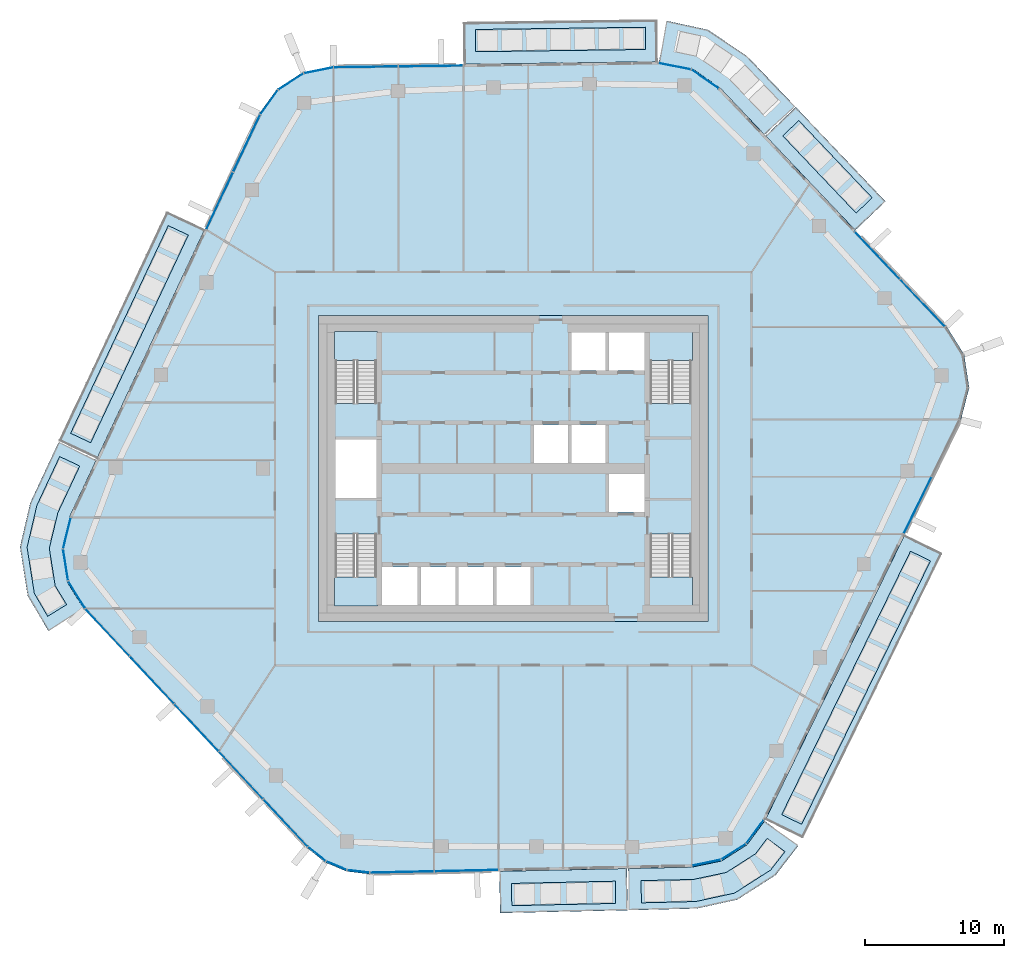
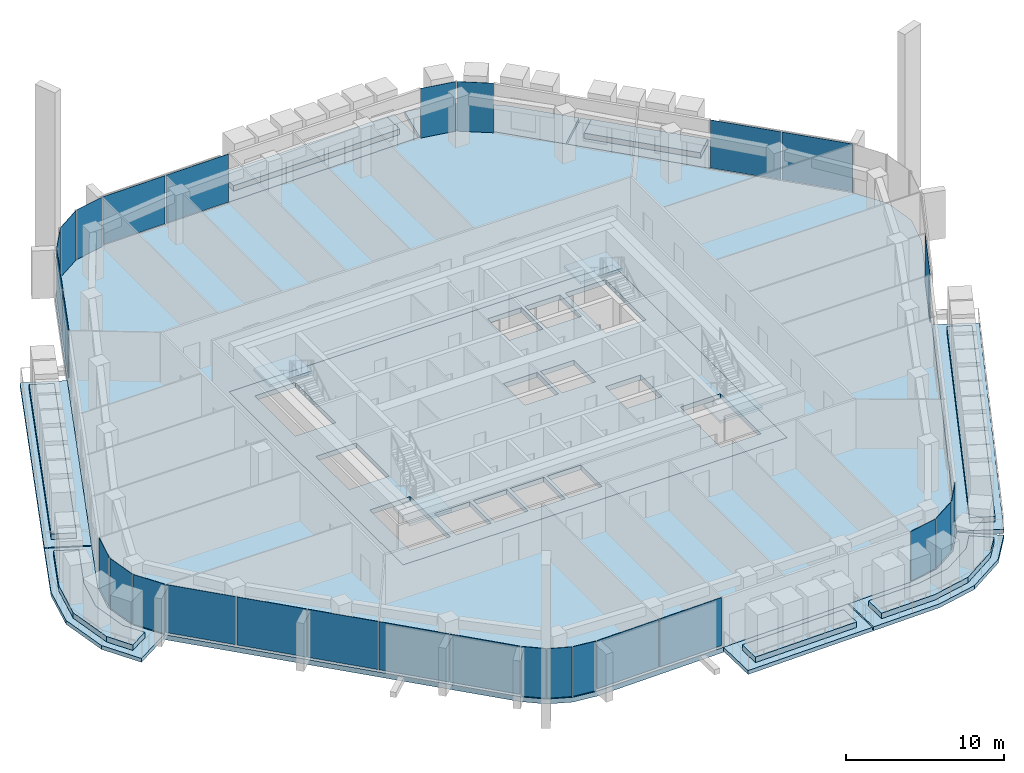
# One storey, part 11 of 24: 28 plates, 21 slabs, 15 elements without a shape of their own.
"""IFC4 building model written with IfcOpenShell, lengths in metres."""

from ifc_helpers import new_model, si_unit, direction, frame, origin, origin_2d, place, context, subcontext, project, spatial, polyline, rectangle, outline, extrude, material, layer, layer_set, type_object, element, aggregate, save


model = new_model("IFC4")

# Units and contexts
model_context = context("Model", 3, precision=1e-05, world=origin(), true_north=direction((0.0, 1.0)))
body_context = subcontext(model_context, "Body", "Model", "MODEL_VIEW")
ifc_project = project(units=[si_unit("LENGTHUNIT", "METRE"), si_unit("AREAUNIT", "SQUARE_METRE"), si_unit("VOLUMEUNIT", "CUBIC_METRE"), si_unit("PLANEANGLEUNIT", "RADIAN"), si_unit("MASSUNIT", "GRAM", prefix="KILO")], contexts=[model_context])

# Site, building, storey
site_placement = place(None, origin())
site = spatial("IfcSite", under=ifc_project, at=site_placement, CompositionType="ELEMENT")
building_placement = place(site_placement, origin())
building = spatial("IfcBuilding", under=site, at=building_placement, Name="Dongbaek Canopy Tower", CompositionType="ELEMENT")
storey_placement = place(building_placement, frame((0.0, 0.0, 332.0)))
storey = spatial("IfcBuildingStorey", under=building, at=storey_placement, Name="L71", CompositionType="ELEMENT", Elevation=332.0)

# Slabs
ifc_material_1 = material(Name="Concrete C40/50", Category="concrete")
ifc_layer_1 = layer(ifc_material_1, 0.300048828125)
ifc_layer_set_1 = layer_set([ifc_layer_1], Name="Balcony slab 300")
slab_type_1 = type_object("IfcSlabType", Name="Balcony slab 300", PredefinedType="FLOOR", material=ifc_layer_set_1)
slab_1_placement = place(storey_placement, frame((0.0, 0.0, -0.300048828125)))
element("IfcSlab", 1, at=slab_1_placement, inside=storey, type_object=slab_type_1, Name="Balcony L71 1", PredefinedType="FLOOR", context=body_context, shape_type="SweptSolid", body=[
    extrude(outline(polyline([(24.6015625, 17.15380859375), (18.15087890625, 23.94287109375), (20.32568359375, 26.00927734375), (26.7763671875, 19.22021484375), (24.6015625, 17.15380859375)])), origin(), (0.0, 0.0, 1.0), 0.300048828125),
])
slab_2_placement = place(storey_placement, frame((0.0, 0.0, -0.300048828125)))
element("IfcSlab", 2, at=slab_2_placement, inside=storey, type_object=slab_type_1, Name="Balcony L71 6", PredefinedType="FLOOR", context=body_context, shape_type="SweptSolid", body=[
    extrude(outline(polyline([(18.08203125, 24.015380859375), (14.8564453125, 27.409912109375), (12.837158203125, 28.80615234375), (10.47705078125, 29.26708984375), (11.052001953125, 32.21142578125), (14.00244140625, 31.570556640625), (16.807373046875, 29.689208984375), (20.2568359375, 26.081787109375), (18.08203125, 24.015380859375)])), origin(), (0.0, 0.0, 1.0), 0.300048828125),
])
slab_3_placement = place(storey_placement, frame((0.0, 0.0, -0.300048828125)))
element("IfcSlab", 3, at=slab_3_placement, inside=storey, type_object=slab_type_1, Name="Balcony L71 2", PredefinedType="FLOOR", context=body_context, shape_type="SweptSolid", body=[
    extrude(outline(polyline([(10.3779296875, 29.27587890625), (-3.544677734375, 29.092529296875), (-3.584228515625, 32.09228515625), (10.33837890625, 32.275634765625), (10.3779296875, 29.27587890625)])), origin(), (0.0, 0.0, 1.0), 0.300048828125),
])
slab_4_placement = place(storey_placement, frame((0.0, 0.0, -0.300048828125)))
element("IfcSlab", 4, at=slab_4_placement, inside=storey, type_object=slab_type_1, Name="Balcony L71 3", PredefinedType="FLOOR", context=body_context, shape_type="SweptSolid", body=[
    extrude(outline(polyline([(-22.21044921875, 17.1923828125), (-29.958740234375, 0.713623046875), (-32.673583984375, 1.990234375), (-24.92529296875, 18.468994140625), (-22.21044921875, 17.1923828125)])), origin(), (0.0, 0.0, 1.0), 0.300048828125),
])
slab_5_placement = place(storey_placement, frame((0.0, 0.0, -0.300048828125)))
element("IfcSlab", 5, at=slab_5_placement, inside=storey, type_object=slab_type_1, Name="Balcony L71 7", PredefinedType="FLOOR", context=body_context, shape_type="SweptSolid", body=[
    extrude(outline(polyline([(-30.001220703125, 0.623046875), (-31.927734375, -3.473876953125), (-32.492431640625, -5.772705078125), (-32.124267578125, -8.11083984375), (-30.90673828125, -10.082275390625), (-33.459228515625, -11.65869140625), (-34.9375, -9.15283203125), (-35.48974609375, -5.6455078125), (-34.755615234375, -2.472900390625), (-32.716064453125, 1.899658203125), (-30.001220703125, 0.623046875)])), origin(), (0.0, 0.0, 1.0), 0.300048828125),
])
slab_6_placement = place(storey_placement, frame((0.0, 0.0, -0.300048828125)))
element("IfcSlab", 6, at=slab_6_placement, inside=storey, type_object=slab_type_1, Name="Balcony L71 4", PredefinedType="FLOOR", context=body_context, shape_type="SweptSolid", body=[
    extrude(outline(polyline([(-1.009033203125, -28.9716796875), (8.166015625, -28.772705078125), (8.23095703125, -31.77197265625), (-0.94384765625, -31.970947265625), (-1.009033203125, -28.9716796875)])), origin(), (0.0, 0.0, 1.0), 0.300048828125),
])
slab_7_placement = place(storey_placement, frame((0.0, 0.0, -0.300048828125)))
element("IfcSlab", 7, at=slab_7_placement, inside=storey, type_object=slab_type_1, Name="Balcony L71 8", PredefinedType="FLOOR", context=body_context, shape_type="SweptSolid", body=[
    extrude(outline(polyline([(8.265869140625, -28.7705078125), (12.853271484375, -28.671142578125), (14.984619140625, -28.22998046875), (16.818359375, -27.057861328125), (18.08349609375, -25.3486328125), (20.49462890625, -27.133544921875), (18.865966796875, -29.25048828125), (16.115234375, -31.0087890625), (13.191162109375, -31.65185546875), (8.3310546875, -31.769775390625), (8.265869140625, -28.7705078125)])), origin(), (0.0, 0.0, 1.0), 0.300048828125),
])
slab_8_placement = place(storey_placement, frame((0.0, 0.0, -0.300048828125)))
element("IfcSlab", 8, at=slab_8_placement, inside=storey, type_object=slab_type_1, Name="Balcony L71 5", PredefinedType="FLOOR", context=body_context, shape_type="SweptSolid", body=[
    extrude(outline(polyline([(18.13525390625, -25.263671875), (28.150390625, -4.78515625), (30.845458984375, -6.103271484375), (20.830078125, -26.58154296875), (18.13525390625, -25.263671875)])), origin(), (0.0, 0.0, 1.0), 0.300048828125),
])

# Curtain wall, plates
ifc_material_2 = material(Name="Aluminium 6063-T6 pale anodised", Category="aluminium")
ifc_layer_2 = layer(ifc_material_2, 0.199951171875)
ifc_layer_set_2 = layer_set([ifc_layer_2], Name="CW-1 unitised tower curtain wall")
curtain_wall_type = type_object("IfcCurtainWallType", Name="CW-1 unitised tower curtain wall", PredefinedType="NOTDEFINED", material=ifc_layer_set_2)
curtain_wall_1_placement = place(storey_placement, origin())
curtain_wall_1 = element("IfcCurtainWall", 9, at=curtain_wall_1_placement, inside=storey, type_object=curtain_wall_type, Name="CW-1 curtain wall F0.1", PredefinedType="NOTDEFINED")
ifc_material_3 = material(Name="Clear laminated glass", Category="glass")
ifc_layer_3 = layer(ifc_material_3, 0.028076171875)
ifc_layer_set_3 = layer_set([ifc_layer_3], Name="CW-1 glazed panel 28")
plate_type = type_object("IfcPlateType", Name="CW-1 glazed panel 28", PredefinedType="CURTAIN_PANEL", material=ifc_layer_set_3)
plate_1_placement = place(storey_placement, frame((29.449951171875, 11.906005859375, 0.1201171875), z_axis=(0.0, 0.0, 1.0), x_axis=(-0.688812382486, 0.724939653857, 0.0)))
plate_1 = element("IfcPlate", 10, at=plate_1_placement, type_object=plate_type, Name="CW-1 panel F0.1.1.1", PredefinedType="CURTAIN_PANEL", context=body_context, shape_type="SweptSolid", body=[
    extrude(rectangle(XDim=4.638427734375, YDim=0.028076171875, at=origin_2d()), origin(), (0.0, 0.0, 1.0), 3.699951171875),
])
plate_2_placement = place(storey_placement, frame((26.193603515625, 15.333251953125, 0.1201171875), z_axis=(0.0, 0.0, 1.0), x_axis=(-0.688812382486, 0.724939653857, 0.0)))
plate_2 = element("IfcPlate", 11, at=plate_2_placement, type_object=plate_type, Name="CW-1 panel F0.1.2.1", PredefinedType="CURTAIN_PANEL", context=body_context, shape_type="SweptSolid", body=[
    extrude(rectangle(XDim=4.648681640625, YDim=0.028076171875, at=origin_2d()), origin(), (0.0, 0.0, 1.0), 3.699951171875),
])
aggregate(curtain_wall_1, [plate_1, plate_2])

curtain_wall_2_placement = place(storey_placement, origin())
curtain_wall_2 = element("IfcCurtainWall", 12, at=curtain_wall_2_placement, inside=storey, type_object=curtain_wall_type, Name="CW-1 curtain wall K1.1", PredefinedType="NOTDEFINED")
plate_3_placement = place(storey_placement, frame((13.79443359375, 28.022705078125, 0.0), z_axis=(0.0, 0.0, 1.0), x_axis=(-0.822548356904, 0.568695173669, 0.0)))
plate_3 = element("IfcPlate", 13, at=plate_3_placement, type_object=plate_type, Name="CW-1 panel K1.1.1.1", PredefinedType="CURTAIN_PANEL", context=body_context, shape_type="SweptSolid", body=[
    extrude(rectangle(XDim=2.339599609375, YDim=0.028076171875, at=origin_2d()), origin(), (0.0, 0.0, 1.0), 3.820068359375),
])
plate_4_placement = place(storey_placement, frame((11.608154296875, 28.944091796875, 0.0), z_axis=(0.0, 0.0, 1.0), x_axis=(-0.981459618743, 0.191669029259, 0.0)))
plate_4 = element("IfcPlate", 14, at=plate_4_placement, type_object=plate_type, Name="CW-1 panel K1.1.2.1", PredefinedType="CURTAIN_PANEL", context=body_context, shape_type="SweptSolid", body=[
    extrude(rectangle(XDim=2.339599609375, YDim=0.028076171875, at=origin_2d()), origin(), (0.0, 0.0, 1.0), 3.820068359375),
])
aggregate(curtain_wall_2, [plate_3, plate_4])

curtain_wall_3_placement = place(storey_placement, origin())
curtain_wall_3 = element("IfcCurtainWall", 15, at=curtain_wall_3_placement, inside=storey, type_object=curtain_wall_type, Name="CW-1 curtain wall F1.1", PredefinedType="NOTDEFINED")
plate_5_placement = place(storey_placement, frame((-5.930419921875, 28.961181640625, 0.1201171875), z_axis=(0.0, 0.0, 1.0), x_axis=(-0.999913333476, -0.013165315653, 0.0)))
plate_5 = element("IfcPlate", 16, at=plate_5_placement, type_object=plate_type, Name="CW-1 panel F1.1.1.1", PredefinedType="CURTAIN_PANEL", context=body_context, shape_type="SweptSolid", body=[
    extrude(rectangle(XDim=4.590576171875, YDim=0.028076171875, at=origin_2d()), origin(), (0.0, 0.0, 1.0), 3.699951171875),
])
plate_6_placement = place(storey_placement, frame((-10.60009765625, 28.899658203125, 0.1201171875), z_axis=(0.0, 0.0, 1.0), x_axis=(-0.999913333476, -0.013165315653, 0.0)))
plate_6 = element("IfcPlate", 17, at=plate_6_placement, type_object=plate_type, Name="CW-1 panel F1.1.2.1", PredefinedType="CURTAIN_PANEL", context=body_context, shape_type="SweptSolid", body=[
    extrude(rectangle(XDim=4.581298828125, YDim=0.028076171875, at=origin_2d()), origin(), (0.0, 0.0, 1.0), 3.699951171875),
])
aggregate(curtain_wall_3, [plate_5, plate_6])

curtain_wall_4_placement = place(storey_placement, origin())
curtain_wall_4 = element("IfcCurtainWall", 18, at=curtain_wall_4_placement, inside=storey, type_object=curtain_wall_type, Name="CW-1 curtain wall K2.1", PredefinedType="NOTDEFINED")
plate_7_placement = place(storey_placement, frame((-14.00830078125, 28.6513671875, 0.0), z_axis=(0.0, 0.0, 1.0), x_axis=(-0.980162153839, -0.198197255735, 0.0)))
plate_7 = element("IfcPlate", 19, at=plate_7_placement, type_object=plate_type, Name="CW-1 panel K2.1.1.1", PredefinedType="CURTAIN_PANEL", context=body_context, shape_type="SweptSolid", body=[
    extrude(rectangle(XDim=2.111083984375, YDim=0.028076171875, at=origin_2d()), origin(), (0.0, 0.0, 1.0), 3.820068359375),
])
plate_8_placement = place(storey_placement, frame((-16.002685546875, 27.84228515625, 0.0), z_axis=(0.0, 0.0, 1.0), x_axis=(-0.840698942489, -0.541502805254, 0.0)))
plate_8 = element("IfcPlate", 20, at=plate_8_placement, type_object=plate_type, Name="CW-1 panel K2.1.2.1", PredefinedType="CURTAIN_PANEL", context=body_context, shape_type="SweptSolid", body=[
    extrude(rectangle(XDim=2.1015625, YDim=0.028076171875, at=origin_2d()), origin(), (0.0, 0.0, 1.0), 3.820068359375),
])
plate_9_placement = place(storey_placement, frame((-17.564453125, 26.36083984375, 0.0), z_axis=(0.0, 0.0, 1.0), x_axis=(-0.585800462636, -0.810455315225, 0.0)))
plate_9 = element("IfcPlate", 21, at=plate_9_placement, type_object=plate_type, Name="CW-1 panel K2.1.3.1", PredefinedType="CURTAIN_PANEL", context=body_context, shape_type="SweptSolid", body=[
    extrude(rectangle(XDim=2.111083984375, YDim=0.028076171875, at=origin_2d()), origin(), (0.0, 0.0, 1.0), 3.820068359375),
])
aggregate(curtain_wall_4, [plate_7, plate_8, plate_9])

curtain_wall_5_placement = place(storey_placement, origin())
curtain_wall_5 = element("IfcCurtainWall", 22, at=curtain_wall_5_placement, inside=storey, type_object=curtain_wall_type, Name="CW-1 curtain wall F2.1", PredefinedType="NOTDEFINED")
plate_10_placement = place(storey_placement, frame((-19.17919921875, 23.404541015625, 0.1201171875), z_axis=(0.0, 0.0, 1.0), x_axis=(-0.425500361514, -0.90495825448, 0.0)))
plate_10 = element("IfcPlate", 23, at=plate_10_placement, type_object=plate_type, Name="CW-1 panel F2.1.1.1", PredefinedType="CURTAIN_PANEL", context=body_context, shape_type="SweptSolid", body=[
    extrude(rectangle(XDim=4.484130859375, YDim=0.028076171875, at=origin_2d()), origin(), (0.0, 0.0, 1.0), 3.699951171875),
])
plate_11_placement = place(storey_placement, frame((-21.125, 19.266357421875, 0.1201171875), z_axis=(0.0, 0.0, 1.0), x_axis=(-0.425500361514, -0.90495825448, 0.0)))
plate_11 = element("IfcPlate", 24, at=plate_11_placement, type_object=plate_type, Name="CW-1 panel F2.1.2.1", PredefinedType="CURTAIN_PANEL", context=body_context, shape_type="SweptSolid", body=[
    extrude(rectangle(XDim=4.493408203125, YDim=0.028076171875, at=origin_2d()), origin(), (0.0, 0.0, 1.0), 3.699951171875),
])
aggregate(curtain_wall_5, [plate_10, plate_11])

curtain_wall_6_placement = place(storey_placement, origin())
curtain_wall_6 = element("IfcCurtainWall", 25, at=curtain_wall_6_placement, inside=storey, type_object=curtain_wall_type, Name="CW-1 curtain wall K3.1", PredefinedType="NOTDEFINED")
plate_12_placement = place(storey_placement, frame((-32.11181640625, -4.64208984375, 0.0), z_axis=(0.0, 0.0, 1.0), x_axis=(-0.238631910198, -0.971110092335, 0.0)))
plate_12 = element("IfcPlate", 26, at=plate_12_placement, type_object=plate_type, Name="CW-1 panel K3.1.1.1", PredefinedType="CURTAIN_PANEL", context=body_context, shape_type="SweptSolid", body=[
    extrude(rectangle(XDim=2.2529296875, YDim=0.028076171875, at=origin_2d()), origin(), (0.0, 0.0, 1.0), 3.820068359375),
])
plate_13_placement = place(storey_placement, frame((-32.209716796875, -6.92626953125, 0.0), z_axis=(0.0, 0.0, 1.0), x_axis=(0.155525099522, -0.987831940878, 0.0)))
plate_13 = element("IfcPlate", 27, at=plate_13_placement, type_object=plate_type, Name="CW-1 panel K3.1.2.1", PredefinedType="CURTAIN_PANEL", context=body_context, shape_type="SweptSolid", body=[
    extrude(rectangle(XDim=2.242919921875, YDim=0.028076171875, at=origin_2d()), origin(), (0.0, 0.0, 1.0), 3.820068359375),
])
plate_14_placement = place(storey_placement, frame((-31.41455078125, -9.069580078125, 0.0), z_axis=(0.0, 0.0, 1.0), x_axis=(0.525476280961, -0.850808249929, 0.0)))
plate_14 = element("IfcPlate", 28, at=plate_14_placement, type_object=plate_type, Name="CW-1 panel K3.1.3.1", PredefinedType="CURTAIN_PANEL", context=body_context, shape_type="SweptSolid", body=[
    extrude(rectangle(XDim=2.2529296875, YDim=0.028076171875, at=origin_2d()), origin(), (0.0, 0.0, 1.0), 3.820068359375),
])
aggregate(curtain_wall_6, [plate_12, plate_13, plate_14])

curtain_wall_7_placement = place(storey_placement, origin())
curtain_wall_7 = element("IfcCurtainWall", 29, at=curtain_wall_7_placement, inside=storey, type_object=curtain_wall_type, Name="CW-1 curtain wall F3.1", PredefinedType="NOTDEFINED")
plate_15_placement = place(storey_placement, frame((-29.20068359375, -11.77490234375, 0.1201171875), z_axis=(0.0, 0.0, 1.0), x_axis=(0.682978597195, -0.730438386022, 0.0)))
plate_15 = element("IfcPlate", 30, at=plate_15_placement, type_object=plate_type, Name="CW-1 panel F3.1.1.1", PredefinedType="CURTAIN_PANEL", context=body_context, shape_type="SweptSolid", body=[
    extrude(rectangle(XDim=4.601318359375, YDim=0.028076171875, at=origin_2d()), origin(), (0.0, 0.0, 1.0), 3.699951171875),
])
plate_16_placement = place(storey_placement, frame((-25.997314453125, -15.200927734375, 0.1201171875), z_axis=(0.0, 0.0, 1.0), x_axis=(0.682978597195, -0.730438386022, 0.0)))
plate_16 = element("IfcPlate", 31, at=plate_16_placement, type_object=plate_type, Name="CW-1 panel F3.1.2.1", PredefinedType="CURTAIN_PANEL", context=body_context, shape_type="SweptSolid", body=[
    extrude(rectangle(XDim=4.611328125, YDim=0.028076171875, at=origin_2d()), origin(), (0.0, 0.0, 1.0), 3.699951171875),
])
plate_17_placement = place(storey_placement, frame((-22.79052734375, -18.630615234375, 0.1201171875), z_axis=(0.0, 0.0, 1.0), x_axis=(0.682978597195, -0.730438386022, 0.0)))
plate_17 = element("IfcPlate", 32, at=plate_17_placement, type_object=plate_type, Name="CW-1 panel F3.1.3.1", PredefinedType="CURTAIN_PANEL", context=body_context, shape_type="SweptSolid", body=[
    extrude(rectangle(XDim=4.611328125, YDim=0.028076171875, at=origin_2d()), origin(), (0.0, 0.0, 1.0), 3.699951171875),
])
plate_18_placement = place(storey_placement, frame((-19.583740234375, -22.060302734375, 0.1201171875), z_axis=(0.0, 0.0, 1.0), x_axis=(0.682978597195, -0.730438386022, 0.0)))
plate_18 = element("IfcPlate", 33, at=plate_18_placement, type_object=plate_type, Name="CW-1 panel F3.1.4.1", PredefinedType="CURTAIN_PANEL", context=body_context, shape_type="SweptSolid", body=[
    extrude(rectangle(XDim=4.611328125, YDim=0.028076171875, at=origin_2d()), origin(), (0.0, 0.0, 1.0), 3.699951171875),
])
plate_19_placement = place(storey_placement, frame((-16.379150390625, -25.4873046875, 0.1201171875), z_axis=(0.0, 0.0, 1.0), x_axis=(0.682978597195, -0.730438386022, 0.0)))
plate_19 = element("IfcPlate", 34, at=plate_19_placement, type_object=plate_type, Name="CW-1 panel F3.1.5.1", PredefinedType="CURTAIN_PANEL", context=body_context, shape_type="SweptSolid", body=[
    extrude(rectangle(XDim=4.604248046875, YDim=0.028076171875, at=origin_2d()), origin(), (0.0, 0.0, 1.0), 3.699951171875),
])
aggregate(curtain_wall_7, [plate_15, plate_16, plate_17, plate_18, plate_19])

curtain_wall_8_placement = place(storey_placement, origin())
curtain_wall_8 = element("IfcCurtainWall", 35, at=curtain_wall_8_placement, inside=storey, type_object=curtain_wall_type, Name="CW-1 curtain wall K4.1", PredefinedType="NOTDEFINED")
plate_20_placement = place(storey_placement, frame((-14.13427734375, -27.71923828125, 0.0), z_axis=(0.0, 0.0, 1.0), x_axis=(0.778291080204, -0.62790365063, 0.0)))
plate_20 = element("IfcPlate", 36, at=plate_20_placement, type_object=plate_type, Name="CW-1 panel K4.1.1.1", PredefinedType="CURTAIN_PANEL", context=body_context, shape_type="SweptSolid", body=[
    extrude(rectangle(XDim=1.570556640625, YDim=0.028076171875, at=origin_2d()), origin(), (0.0, 0.0, 1.0), 3.820068359375),
])
plate_21_placement = place(storey_placement, frame((-12.731201171875, -28.558349609375, 0.0), z_axis=(0.0, 0.0, 1.0), x_axis=(0.92158857435, -0.388168133193, 0.0)))
plate_21 = element("IfcPlate", 37, at=plate_21_placement, type_object=plate_type, Name="CW-1 panel K4.1.2.1", PredefinedType="CURTAIN_PANEL", context=body_context, shape_type="SweptSolid", body=[
    extrude(rectangle(XDim=1.5634765625, YDim=0.028076171875, at=origin_2d()), origin(), (0.0, 0.0, 1.0), 3.820068359375),
])
plate_22_placement = place(storey_placement, frame((-11.150390625, -28.975830078125, 0.0), z_axis=(0.0, 0.0, 1.0), x_axis=(0.992995441177, -0.118152671581, 0.0)))
plate_22 = element("IfcPlate", 38, at=plate_22_placement, type_object=plate_type, Name="CW-1 panel K4.1.3.1", PredefinedType="CURTAIN_PANEL", context=body_context, shape_type="SweptSolid", body=[
    extrude(rectangle(XDim=1.570556640625, YDim=0.028076171875, at=origin_2d()), origin(), (0.0, 0.0, 1.0), 3.820068359375),
])
aggregate(curtain_wall_8, [plate_20, plate_21, plate_22])

curtain_wall_9_placement = place(storey_placement, origin())
curtain_wall_9 = element("IfcCurtainWall", 39, at=curtain_wall_9_placement, inside=storey, type_object=curtain_wall_type, Name="CW-1 curtain wall F4.1", PredefinedType="NOTDEFINED")
plate_23_placement = place(storey_placement, frame((-8.013671875, -29.0234375, 0.1201171875), z_axis=(0.0, 0.0, 1.0), x_axis=(0.999765051294, 0.021675843976, 0.0)))
plate_23 = element("IfcPlate", 40, at=plate_23_placement, type_object=plate_type, Name="CW-1 panel F4.1.1.1", PredefinedType="CURTAIN_PANEL", context=body_context, shape_type="SweptSolid", body=[
    extrude(rectangle(XDim=4.547607421875, YDim=0.028076171875, at=origin_2d()), origin(), (0.0, 0.0, 1.0), 3.699951171875),
])
plate_24_placement = place(storey_placement, frame((-3.3798828125, -28.923095703125, 0.1201171875), z_axis=(0.0, 0.0, 1.0), x_axis=(0.999765051294, 0.021675843976, 0.0)))
plate_24 = element("IfcPlate", 41, at=plate_24_placement, type_object=plate_type, Name="CW-1 panel F4.1.2.1", PredefinedType="CURTAIN_PANEL", context=body_context, shape_type="SweptSolid", body=[
    extrude(rectangle(XDim=4.554443359375, YDim=0.028076171875, at=origin_2d()), origin(), (0.0, 0.0, 1.0), 3.699951171875),
])
aggregate(curtain_wall_9, [plate_23, plate_24])

curtain_wall_10_placement = place(storey_placement, origin())
curtain_wall_10 = element("IfcCurtainWall", 42, at=curtain_wall_10_placement, inside=storey, type_object=curtain_wall_type, Name="CW-1 curtain wall K5.1", PredefinedType="NOTDEFINED")
plate_25_placement = place(storey_placement, frame((13.894287109375, -28.353515625, 0.0), z_axis=(0.0, 0.0, 1.0), x_axis=(0.979253147382, 0.20264074946, 0.0)))
plate_25 = element("IfcPlate", 43, at=plate_25_placement, type_object=plate_type, Name="CW-1 panel K5.1.1.1", PredefinedType="CURTAIN_PANEL", context=body_context, shape_type="SweptSolid", body=[
    extrude(rectangle(XDim=2.064697265625, YDim=0.028076171875, at=origin_2d()), origin(), (0.0, 0.0, 1.0), 3.820068359375),
])
plate_26_placement = place(storey_placement, frame((15.84765625, -27.5595703125, 0.0), z_axis=(0.0, 0.0, 1.0), x_axis=(0.842544412737, 0.538626876944, 0.0)))
plate_26 = element("IfcPlate", 44, at=plate_26_placement, type_object=plate_type, Name="CW-1 panel K5.1.2.1", PredefinedType="CURTAIN_PANEL", context=body_context, shape_type="SweptSolid", body=[
    extrude(rectangle(XDim=2.055419921875, YDim=0.028076171875, at=origin_2d()), origin(), (0.0, 0.0, 1.0), 3.820068359375),
])
plate_27_placement = place(storey_placement, frame((17.38818359375, -26.119873046875, 0.0), z_axis=(0.0, 0.0, 1.0), x_axis=(0.594977091521, 0.803742658172, 0.0)))
plate_27 = element("IfcPlate", 45, at=plate_27_placement, type_object=plate_type, Name="CW-1 panel K5.1.3.1", PredefinedType="CURTAIN_PANEL", context=body_context, shape_type="SweptSolid", body=[
    extrude(rectangle(XDim=2.064697265625, YDim=0.028076171875, at=origin_2d()), origin(), (0.0, 0.0, 1.0), 3.820068359375),
])
aggregate(curtain_wall_10, [plate_25, plate_26, plate_27])

# Curtain wall, plate
curtain_wall_11_placement = place(storey_placement, origin())
curtain_wall_11 = element("IfcCurtainWall", 46, at=curtain_wall_11_placement, inside=storey, type_object=curtain_wall_type, Name="CW-1 curtain wall F5.1", PredefinedType="NOTDEFINED")
plate_28_placement = place(storey_placement, frame((29.088623046875, -2.6396484375, 0.1201171875), z_axis=(0.0, 0.0, 1.0), x_axis=(0.439337288093, 0.89832218457, 0.0)))
plate_28 = element("IfcPlate", 47, at=plate_28_placement, type_object=plate_type, Name="CW-1 panel F5.1.1.1", PredefinedType="CURTAIN_PANEL", context=body_context, shape_type="SweptSolid", body=[
    extrude(rectangle(XDim=4.495361328125, YDim=0.028076171875, at=origin_2d()), origin(), (0.0, 0.0, 1.0), 3.699951171875),
])
aggregate(curtain_wall_11, [plate_28])

# Slab
ifc_material_4 = material(Name="Concrete C40/50", Category="concrete")
ifc_layer_4 = layer(ifc_material_4, 0.3798828125)
ifc_layer_set_4 = layer_set([ifc_layer_4], Name="Core floor slab 380 Concrete C40/50")
slab_type_2 = type_object("IfcSlabType", Name="Core floor slab 380 Concrete C40/50", PredefinedType="FLOOR", material=ifc_layer_set_4)
slab_9_placement = place(storey_placement, frame((0.0, 0.0, -0.3798828125)))
element("IfcSlab", 48, at=slab_9_placement, inside=storey, type_object=slab_type_2, Name="Core floor slab L71", PredefinedType="FLOOR", context=body_context, shape_type="SweptSolid", body=[
    extrude(outline(polyline([(14.0, -11.0), (14.0, 11.0), (-14.0, 11.0), (-14.0, -11.0), (14.0, -11.0)]), holes=[polyline([(-12.800048828125, 2.10009765625), (-9.85009765625, 2.10009765625), (-9.85009765625, -2.10009765625), (-12.800048828125, -2.10009765625), (-12.800048828125, 2.10009765625)]), polyline([(6.625, 9.800048828125), (6.625, 7.074951171875), (4.175048828125, 7.074951171875), (4.175048828125, 9.800048828125), (6.625, 9.800048828125)]), polyline([(9.449951171875, 7.074951171875), (6.875, 7.074951171875), (6.875, 9.800048828125), (9.449951171875, 9.800048828125), (9.449951171875, 7.074951171875)]), polyline([(1.47509765625, 0.39990234375), (1.47509765625, 3.125), (3.925048828125, 3.125), (3.925048828125, 0.39990234375), (1.47509765625, 0.39990234375)]), polyline([(4.175048828125, 0.39990234375), (4.175048828125, 3.125), (6.625, 3.125), (6.625, 0.39990234375), (4.175048828125, 0.39990234375)]), polyline([(9.449951171875, -3.125), (6.875, -3.125), (6.875, -0.39990234375), (9.449951171875, -0.39990234375), (9.449951171875, -3.125)]), polyline([(-9.449951171875, -7.074951171875), (-6.875, -7.074951171875), (-6.875, -9.800048828125), (-9.449951171875, -9.800048828125), (-9.449951171875, -7.074951171875)]), polyline([(-6.625, -9.800048828125), (-6.625, -7.074951171875), (-4.175048828125, -7.074951171875), (-4.175048828125, -9.800048828125), (-6.625, -9.800048828125)]), polyline([(-3.925048828125, -9.800048828125), (-3.925048828125, -7.074951171875), (-1.47509765625, -7.074951171875), (-1.47509765625, -9.800048828125), (-3.925048828125, -9.800048828125)]), polyline([(-1.22509765625, -9.800048828125), (-1.22509765625, -7.074951171875), (1.22509765625, -7.074951171875), (1.22509765625, -9.800048828125), (-1.22509765625, -9.800048828125)]), polyline([(12.800048828125, 4.70068359375), (12.800048828125, 9.800048828125), (9.85009765625, 9.800048828125), (9.85009765625, 4.70068359375), (12.800048828125, 4.70068359375)]), polyline([(-9.85009765625, 4.70068359375), (-9.85009765625, 9.800048828125), (-12.800048828125, 9.800048828125), (-12.800048828125, 4.70068359375), (-9.85009765625, 4.70068359375)]), polyline([(9.85009765625, -4.70068359375), (9.85009765625, -9.800048828125), (12.800048828125, -9.800048828125), (12.800048828125, -4.70068359375), (9.85009765625, -4.70068359375)]), polyline([(-12.800048828125, -4.70068359375), (-12.800048828125, -9.800048828125), (-9.85009765625, -9.800048828125), (-9.85009765625, -4.70068359375), (-12.800048828125, -4.70068359375)])]), origin(), (0.0, 0.0, 1.0), 0.3798828125),
])

# Stair, slab
ifc_material_5 = material(Name="Concrete C40/50", Category="concrete")
stair_type = type_object("IfcStairType", Name="Core exit stair", PredefinedType="HALF_TURN_STAIR", material=ifc_material_5)
stair_1_placement = place(storey_placement, origin())
stair_1 = element("IfcStair", 49, at=stair_1_placement, inside=storey, type_object=stair_type, Name="L71 exit stair A", PredefinedType="HALF_TURN_STAIR")
ifc_material_6 = material(Name="Concrete C40/50", Category="concrete")
ifc_layer_5 = layer(ifc_material_6, 0.199951171875)
ifc_layer_set_5 = layer_set([ifc_layer_5], Name="Core stair landing 200")
slab_type_3 = type_object("IfcSlabType", Name="Core stair landing 200", PredefinedType="LANDING", material=ifc_layer_set_5)
slab_10_placement = place(storey_placement, frame((0.0, 0.0, 1.89990234375)))
slab_10 = element("IfcSlab", 50, at=slab_10_placement, type_object=slab_type_3, Name="ST-A landing 1", PredefinedType="LANDING", context=body_context, shape_type="SweptSolid", body=[
    extrude(outline(polyline([(12.875, 7.780029296875), (12.875, 9.875), (9.77490234375, 9.875), (9.77490234375, 7.780029296875), (12.875, 7.780029296875)])), origin(), (0.0, 0.0, 1.0), 0.2001953125),
])
aggregate(stair_1, [slab_10])

stair_2_placement = place(storey_placement, origin())
stair_2 = element("IfcStair", 51, at=stair_2_placement, inside=storey, type_object=stair_type, Name="L71 exit stair C", PredefinedType="HALF_TURN_STAIR")
slab_11_placement = place(storey_placement, frame((0.0, 0.0, 1.89990234375)))
slab_11 = element("IfcSlab", 52, at=slab_11_placement, type_object=slab_type_3, Name="ST-C landing 1", PredefinedType="LANDING", context=body_context, shape_type="SweptSolid", body=[
    extrude(outline(polyline([(-9.77490234375, 7.780029296875), (-9.77490234375, 9.875), (-12.875, 9.875), (-12.875, 7.780029296875), (-9.77490234375, 7.780029296875)])), origin(), (0.0, 0.0, 1.0), 0.2001953125),
])
aggregate(stair_2, [slab_11])

stair_3_placement = place(storey_placement, origin())
stair_3 = element("IfcStair", 53, at=stair_3_placement, inside=storey, type_object=stair_type, Name="L71 exit stair B", PredefinedType="HALF_TURN_STAIR")
slab_12_placement = place(storey_placement, frame((0.0, 0.0, 1.89990234375)))
slab_12 = element("IfcSlab", 54, at=slab_12_placement, type_object=slab_type_3, Name="ST-B landing 1", PredefinedType="LANDING", context=body_context, shape_type="SweptSolid", body=[
    extrude(outline(polyline([(9.77490234375, -7.780029296875), (9.77490234375, -9.875), (12.875, -9.875), (12.875, -7.780029296875), (9.77490234375, -7.780029296875)])), origin(), (0.0, 0.0, 1.0), 0.2001953125),
])
aggregate(stair_3, [slab_12])

stair_4_placement = place(storey_placement, origin())
stair_4 = element("IfcStair", 55, at=stair_4_placement, inside=storey, type_object=stair_type, Name="L71 exit stair D", PredefinedType="HALF_TURN_STAIR")
slab_13_placement = place(storey_placement, frame((0.0, 0.0, 1.89990234375)))
slab_13 = element("IfcSlab", 56, at=slab_13_placement, type_object=slab_type_3, Name="ST-D landing 1", PredefinedType="LANDING", context=body_context, shape_type="SweptSolid", body=[
    extrude(outline(polyline([(-12.875, -7.780029296875), (-12.875, -9.875), (-9.77490234375, -9.875), (-9.77490234375, -7.780029296875), (-12.875, -7.780029296875)])), origin(), (0.0, 0.0, 1.0), 0.2001953125),
])
aggregate(stair_4, [slab_13])

# Slabs
ifc_material_7 = material(Name="Concrete C40", Category="concrete")
ifc_layer_6 = layer(ifc_material_7, 0.3798828125)
ifc_layer_set_6 = layer_set([ifc_layer_6], Name="RC FLAT PLATE 380 Concrete C40")
slab_type_4 = type_object("IfcSlabType", Name="RC FLAT PLATE 380 Concrete C40", PredefinedType="FLOOR", material=ifc_layer_set_6)
slab_14_placement = place(storey_placement, frame((0.0, 0.0, -0.3798828125)))
element("IfcSlab", 57, at=slab_14_placement, inside=storey, type_object=slab_type_4, Name="SLAB:L71", PredefinedType="FLOOR", context=body_context, shape_type="SweptSolid", body=[
    extrude(outline(polyline([(18.11328125, -25.30859375), (16.818359375, -27.057861328125), (14.984619140625, -28.22998046875), (12.853515625, -28.671142578125), (-10.333740234375, -29.173828125), (-11.997802734375, -28.975830078125), (-13.542236328125, -28.3251953125), (-14.846435546875, -27.273193359375), (-30.880615234375, -10.124755859375), (-32.124267578125, -8.11083984375), (-32.492431640625, -5.772705078125), (-31.927490234375, -3.473876953125), (-18.2939453125, 25.5224609375), (-16.991455078125, 27.32421875), (-15.122314453125, 28.5283203125), (-12.943115234375, 28.968994140625), (10.427978515625, 29.276611328125), (12.83740234375, 28.80615234375), (14.8564453125, 27.409912109375), (31.15576171875, 10.255859375), (32.43212890625, 8.208251953125), (32.798583984375, 5.823486328125), (32.196044921875, 3.48681640625), (18.11328125, -25.30859375)]), holes=[polyline([(14.0, 11.0), (-14.0, 11.0), (-14.0, -11.0), (14.0, -11.0), (14.0, 11.0)])]), origin(), (0.0, 0.0, 1.0), 0.3798828125),
])
ifc_material_8 = material(Name="Reinforced concrete C40/50 planter box with soil", Category="concrete")
ifc_layer_7 = layer(ifc_material_8, 0.419921875)
ifc_layer_set_7 = layer_set([ifc_layer_7], Name="Terrace planter box 1600 x 420")
slab_type_5 = type_object("IfcSlabType", Name="Terrace planter box 1600 x 420", PredefinedType="USERDEFINED", material=ifc_layer_set_7)
slab_15_placement = place(storey_placement, origin())
element("IfcSlab", 58, at=slab_15_placement, inside=storey, type_object=slab_type_5, Name="Balcony planter L71 1", ObjectType="PLANTER", PredefinedType="USERDEFINED", context=body_context, shape_type="SweptSolid", body=[
    extrude(outline(polyline([(24.661376953125, 18.383056640625), (19.381591796875, 23.939697265625), (20.54150390625, 25.041748046875), (25.8212890625, 19.485107421875), (24.661376953125, 18.383056640625)])), origin(), (0.0, 0.0, 1.0), 0.419921875),
])
slab_16_placement = place(storey_placement, origin())
element("IfcSlab", 59, at=slab_16_placement, inside=storey, type_object=slab_type_5, Name="Balcony planter L71 2", ObjectType="PLANTER", PredefinedType="USERDEFINED", context=body_context, shape_type="SweptSolid", body=[
    extrude(outline(polyline([(9.516357421875, 30.154541015625), (-2.70654296875, 29.99365234375), (-2.7275390625, 31.593505859375), (9.4951171875, 31.75439453125), (9.516357421875, 30.154541015625)])), origin(), (0.0, 0.0, 1.0), 0.419921875),
])
slab_17_placement = place(storey_placement, origin())
element("IfcSlab", 60, at=slab_17_placement, inside=storey, type_object=slab_type_5, Name="Balcony planter L71 3", ObjectType="PLANTER", PredefinedType="USERDEFINED", context=body_context, shape_type="SweptSolid", body=[
    extrude(outline(polyline([(-23.377685546875, 16.802001953125), (-30.40234375, 1.861572265625), (-31.850341796875, 2.542236328125), (-24.825439453125, 17.482666015625), (-23.377685546875, 16.802001953125)])), origin(), (0.0, 0.0, 1.0), 0.419921875),
])
slab_18_placement = place(storey_placement, origin())
element("IfcSlab", 61, at=slab_18_placement, inside=storey, type_object=slab_type_5, Name="Balcony planter L71 7", ObjectType="PLANTER", PredefinedType="USERDEFINED", context=body_context, shape_type="SweptSolid", body=[
    extrude(outline(polyline([(-31.189697265625, 0.1875), (-32.7666015625, -3.177001953125), (-33.381591796875, -5.73486328125), (-32.958984375, -8.419921875), (-32.136962890625, -9.7841796875), (-33.498291015625, -10.625), (-34.459228515625, -8.975830078125), (-34.980224609375, -5.6669921875), (-34.27490234375, -2.64306640625), (-32.637451171875, 0.8681640625), (-31.189697265625, 0.1875)])), origin(), (0.0, 0.0, 1.0), 0.419921875),
])
slab_19_placement = place(storey_placement, origin())
element("IfcSlab", 62, at=slab_19_placement, inside=storey, type_object=slab_type_5, Name="Balcony planter L71 4", ObjectType="PLANTER", PredefinedType="USERDEFINED", context=body_context, shape_type="SweptSolid", body=[
    extrude(outline(polyline([(-0.139892578125, -29.843017578125), (7.33544921875, -29.680908203125), (7.3701171875, -31.280517578125), (-0.105224609375, -31.442626953125), (-0.139892578125, -29.843017578125)])), origin(), (0.0, 0.0, 1.0), 0.419921875),
])
slab_20_placement = place(storey_placement, origin())
element("IfcSlab", 63, at=slab_20_placement, inside=storey, type_object=slab_type_5, Name="Balcony planter L71 8", ObjectType="PLANTER", PredefinedType="USERDEFINED", context=body_context, shape_type="SweptSolid", body=[
    extrude(outline(polyline([(9.18505859375, -29.640869140625), (12.95361328125, -29.555419921875), (15.320068359375, -29.054443359375), (17.42578125, -27.708251953125), (18.263427734375, -26.6015625), (19.54931640625, -27.553466796875), (18.517822265625, -28.877685546875), (15.923095703125, -30.536376953125), (13.1337890625, -31.145263671875), (9.2197265625, -31.240478515625), (9.18505859375, -29.640869140625)])), origin(), (0.0, 0.0, 1.0), 0.419921875),
])
slab_21_placement = place(storey_placement, origin())
element("IfcSlab", 64, at=slab_21_placement, inside=storey, type_object=slab_type_5, Name="Balcony planter L71 5", ObjectType="PLANTER", PredefinedType="USERDEFINED", context=body_context, shape_type="SweptSolid", body=[
    extrude(outline(polyline([(19.30810546875, -24.89111328125), (28.576416015625, -5.939697265625), (30.013916015625, -6.642822265625), (20.74560546875, -25.593994140625), (19.30810546875, -24.89111328125)])), origin(), (0.0, 0.0, 1.0), 0.419921875),
])

save(model, "model.ifc")
